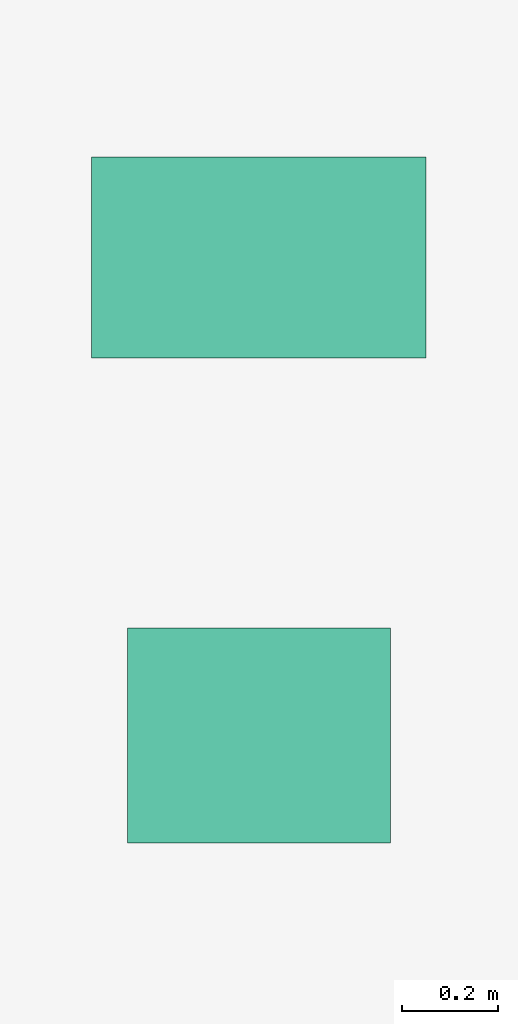
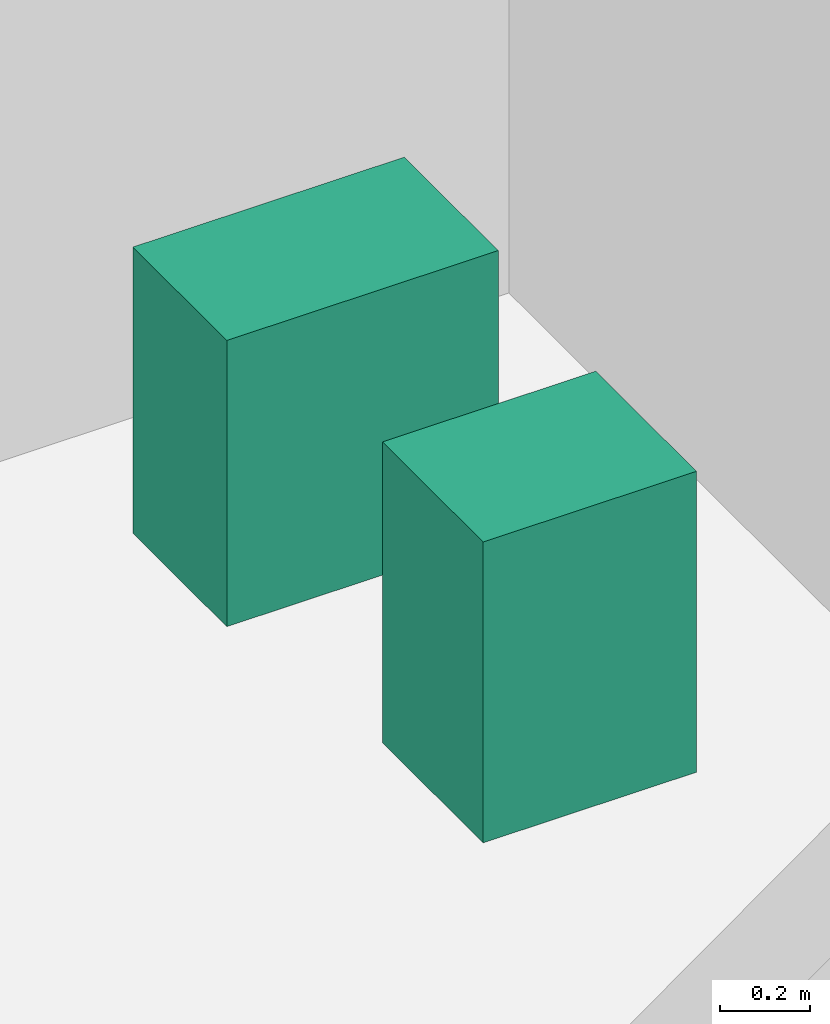
# One storey, part 31 of 31: 2 sanitary terminals.
"""IFC4 building model written with IfcOpenShell, lengths in metres."""

import ifcopenshell
import ifcopenshell.guid

model = None  # the IFC model being written
_history = None  # IfcOwnerHistory: only IFC2X3 demands one
_inside = {}  # id of a spatial element -> (the spatial element, [elements in it])
_under = {}  # id of a project, library or spatial element -> (it, [spatial elements below it])
_declared = {}  # id of a project -> (the project, [libraries it declares])
_typed = {}  # id of a type object -> (the type object, [elements of that type])
_made_of = {}  # id of a material, layer set ... -> (it, [elements and type objects made of it])


def new_model(schema):
    """Start an empty IFC model of exactly this schema.

    Asked for "IFC4X3", IfcOpenShell would pick the latest addendum, in which some entities
    have other attributes; the version numbers below select the first issue.
    IFC2X3 requires an IfcOwnerHistory on every rooted entity: one is made here for all.
    """
    global model, _history
    if schema == "IFC4X3":
        model = ifcopenshell.file(schema_version=(4, 3, 0, 0))
    else:
        model = ifcopenshell.file(schema=schema)
    _inside.clear()
    _under.clear()
    _declared.clear()
    _typed.clear()
    _made_of.clear()
    _history = None
    if model.schema == "IFC2X3":
        org = make("IfcOrganization", Name="unknown")
        user = make(
            "IfcPersonAndOrganization",
            ThePerson=make("IfcPerson", FamilyName="unknown"),
            TheOrganization=org,
        )
        app = make(
            "IfcApplication",
            ApplicationDeveloper=org,
            Version="unknown",
            ApplicationFullName="unknown",
            ApplicationIdentifier="unknown",
        )
        _history = make(
            "IfcOwnerHistory",
            OwningUser=user,
            OwningApplication=app,
            ChangeAction="ADDED",
            CreationDate=0,
        )
    return model


def make(cls, **values):
    """One entity of the class cls with the attributes given. An attribute that is None is left unset."""
    return model.create_entity(
        cls, **{name: value for name, value in values.items() if value is not None}
    )


def rooted(cls, **values):
    """An entity with a GlobalId (a new one), such as an element, a storey or a relation."""
    return make(cls, GlobalId=ifcopenshell.guid.new(), OwnerHistory=_history, **values)


def si_unit(unit_type, name, prefix=None):
    """IfcSIUnit, for example si_unit("LENGTHUNIT", "METRE", prefix="MILLI")."""
    return make("IfcSIUnit", UnitType=unit_type, Prefix=prefix, Name=name)


def assignment(units):
    """IfcUnitAssignment: the units of a project."""
    return None if units is None else make("IfcUnitAssignment", Units=units)


def point(xyz):
    """IfcCartesianPoint."""
    return None if xyz is None else make("IfcCartesianPoint", Coordinates=xyz)


def direction(xyz):
    """IfcDirection."""
    return None if xyz is None else make("IfcDirection", DirectionRatios=xyz)


def frame(location, z_axis=None, x_axis=None):
    """IfcAxis2Placement3D, a coordinate frame: its origin and axes. An axis left out is left unset."""
    return make(
        "IfcAxis2Placement3D",
        Location=point(location),
        Axis=direction(z_axis),
        RefDirection=direction(x_axis),
    )


def frame_2d(location, x_axis=None):
    """IfcAxis2Placement2D, a coordinate frame in the plane: its origin and x axis."""
    return make(
        "IfcAxis2Placement2D", Location=point(location), RefDirection=direction(x_axis)
    )


def origin():
    """The frame at (0, 0, 0) with its axes left unset."""
    return frame((0.0, 0.0, 0.0))


def origin_2d():
    """The frame at (0, 0) in the plane with its x axis left unset."""
    return frame_2d((0.0, 0.0))


def place(relative_to, where):
    """IfcLocalPlacement: puts the frame where relative to a parent placement (None: the world)."""
    return make(
        "IfcLocalPlacement", PlacementRelTo=relative_to, RelativePlacement=where
    )


def context(
    kind, dimensions, precision=None, world=None, true_north=None, identifier=None
):
    """IfcGeometricRepresentationContext, for example the 3D "Model" context."""
    return make(
        "IfcGeometricRepresentationContext",
        ContextIdentifier=identifier,
        ContextType=kind,
        CoordinateSpaceDimension=dimensions,
        Precision=precision,
        WorldCoordinateSystem=world,
        TrueNorth=true_north,
    )


def subcontext(parent, identifier, kind, view, scale=None):
    """IfcGeometricRepresentationSubContext, for example "Body" below "Model"."""
    return make(
        "IfcGeometricRepresentationSubContext",
        ContextIdentifier=identifier,
        ContextType=kind,
        ParentContext=parent,
        TargetScale=scale,
        TargetView=view,
    )


def project(units=None, contexts=None):
    """IfcProject with its units and contexts."""
    return rooted(
        "IfcProject",
        Name="project",
        RepresentationContexts=contexts,
        UnitsInContext=assignment(units),
    )


def spatial(cls, under=None, at=None, **own):
    """A site, building, storey or space (cls), placed at a placement, below another one or the project."""
    s = rooted(cls, ObjectPlacement=at, **own)
    if under is not None:
        _under.setdefault(under.id(), (under, []))[1].append(s)
    return s


def profile(cls, at=None, kind="AREA", **sizes):
    """A parametric profile (cls). Its sizes go by their IFC names, for example OverallWidth=200.0."""
    return make(cls, ProfileType=kind, Position=at, **sizes)


def rectangle(**sizes):
    """IfcRectangleProfileDef."""
    return profile("IfcRectangleProfileDef", **sizes)


def extrude(swept, where, along, depth):
    """IfcExtrudedAreaSolid: the profile swept, set in the frame where, extruded along a direction by depth."""
    return make(
        "IfcExtrudedAreaSolid",
        SweptArea=swept,
        Position=where,
        ExtrudedDirection=direction(along),
        Depth=depth,
    )


def shape(context_of_items, identifier, shape_type, items):
    """IfcShapeRepresentation: the items that make up one representation, for example the "Body"."""
    return make(
        "IfcShapeRepresentation",
        ContextOfItems=context_of_items,
        RepresentationIdentifier=identifier,
        RepresentationType=shape_type,
        Items=items,
    )


def source(mapping_origin, context_of_items, identifier, shape_type, items):
    """IfcRepresentationMap: a shape defined once, which mapped items show again and again."""
    return make(
        "IfcRepresentationMap",
        MappingOrigin=mapping_origin,
        MappedRepresentation=shape(context_of_items, identifier, shape_type, items),
    )


def transform(
    local_origin,
    x_axis=None,
    y_axis=None,
    z_axis=None,
    scale=None,
    scale2=None,
    scale3=None,
    uniform=True,
):
    """IfcCartesianTransformationOperator3D, or its non-uniform kind. x_axis, y_axis, z_axis: its Axis1, 2, 3."""
    if uniform:
        return make(
            "IfcCartesianTransformationOperator3D",
            Axis1=direction(x_axis),
            Axis2=direction(y_axis),
            LocalOrigin=point(local_origin),
            Scale=scale,
            Axis3=direction(z_axis),
        )
    return make(
        "IfcCartesianTransformationOperator3DnonUniform",
        Axis1=direction(x_axis),
        Axis2=direction(y_axis),
        LocalOrigin=point(local_origin),
        Scale=scale,
        Axis3=direction(z_axis),
        Scale2=scale2,
        Scale3=scale3,
    )


def mapped(mapping_source, mapping_target):
    """IfcMappedItem: shows the shape of a source again, moved by a transform."""
    return make(
        "IfcMappedItem", MappingSource=mapping_source, MappingTarget=mapping_target
    )


def material(Name=None, Category=None):
    """IfcMaterial."""
    return make("IfcMaterial", Name=Name, Category=Category)


def made_of(thing, what):
    """Note that an element or type object is made of a material, layer set ...; save() writes the relation."""
    if what is not None:
        _made_of.setdefault(what.id(), (what, []))[1].append(thing)
    return thing


def type_object(cls, material=None, **own):
    """A type object (cls), such as IfcWallType, which elements share."""
    return made_of(rooted(cls, **own), material)


def element(
    cls,
    number,
    at=None,
    inside=None,
    cuts=None,
    type_object=None,
    material=None,
    context=None,
    identifier="Body",
    shape_type=None,
    held_by="IfcProductDefinitionShape",
    body=None,
    shapes=None,
    **own,
):
    """One element of the class cls, such as IfcWall. Its Tag is "e" and its number.

    at: its placement. inside: the storey or other place that contains it. cuts: it is an
    opening in that element (IfcRelVoidsElement). A single representation is given by context,
    identifier, shape_type and body (its items); several are given by shapes. held_by: the class
    of the entity that holds the representations. save() writes the other relations.
    """
    e = rooted(cls, Tag="e%d" % number, ObjectPlacement=at, **own)
    if body is not None:
        shapes = [shape(context, identifier, shape_type, body)]
    if shapes is not None:
        e.Representation = make(held_by, Representations=shapes)
    if inside is not None:
        _inside.setdefault(inside.id(), (inside, []))[1].append(e)
    if cuts is not None:
        rooted(
            "IfcRelVoidsElement", RelatingBuildingElement=cuts, RelatedOpeningElement=e
        )
    if type_object is not None:
        _typed.setdefault(type_object.id(), (type_object, []))[1].append(e)
    return made_of(e, material)


def aggregate(whole, parts):
    """IfcRelAggregates: a whole, such as a stair, and the parts it consists of."""
    return rooted("IfcRelAggregates", RelatingObject=whole, RelatedObjects=parts)


def save(model, path):
    """Write the relations noted so far, then the file.

    IfcRelAggregates (storeys below a building ...), IfcRelContainedInSpatialStructure (elements
    in a storey), IfcRelDefinesByType, IfcRelAssociatesMaterial and IfcRelDeclares: one each for
    every whole, place, type object, material and project.
    """
    for whole, parts in _under.values():
        aggregate(whole, parts)
    for where, things in _inside.values():
        rooted(
            "IfcRelContainedInSpatialStructure",
            RelatedElements=things,
            RelatingStructure=where,
        )
    for kind, things in _typed.values():
        rooted("IfcRelDefinesByType", RelatedObjects=things, RelatingType=kind)
    for what, things in _made_of.values():
        rooted("IfcRelAssociatesMaterial", RelatedObjects=things, RelatingMaterial=what)
    for by, libraries in _declared.values():
        rooted("IfcRelDeclares", RelatingContext=by, RelatedDefinitions=libraries)
    model.write(path)


model = new_model("IFC4")

# Units and contexts
model_context = context("Model", 3, precision=1e-05, world=origin(), true_north=direction((0.0, 1.0)))
body_context = subcontext(model_context, "Body", "Model", "MODEL_VIEW")
ifc_project = project(units=[si_unit("LENGTHUNIT", "METRE"), si_unit("AREAUNIT", "SQUARE_METRE"), si_unit("VOLUMEUNIT", "CUBIC_METRE"), si_unit("PLANEANGLEUNIT", "RADIAN"), si_unit("MASSUNIT", "GRAM", prefix="KILO")], contexts=[model_context])

# Site, building, storey
site_placement = place(None, origin())
site = spatial("IfcSite", under=ifc_project, at=site_placement, CompositionType="ELEMENT")
building_placement = place(site_placement, origin())
building = spatial("IfcBuilding", under=site, at=building_placement, Name="Sumidabori Civic Tower", CompositionType="ELEMENT")
storey_placement = place(building_placement, frame((0.0, 0.0, 221.60009765625)))
storey = spatial("IfcBuildingStorey", under=building, at=storey_placement, Name="L57", CompositionType="ELEMENT", Elevation=221.60009765625)

# Sanitary terminals
ifc_material = material(Name="Vitreous Sanitary Porcelain")
sanitary_terminal_type_1 = type_object("IfcSanitaryTerminalType", Name="SN-WC-1", PredefinedType="TOILETPAN", material=ifc_material)
shared_shape_1 = source(origin(), body_context, "Body", "SweptSolid", [
    extrude(rectangle(XDim=0.699951171875, YDim=0.419921875, at=origin_2d()), origin(), (0.0, 0.0, 1.0), 0.780029296875),
])
sanitary_terminal_1_placement = place(storey_placement, frame((10.800048828125, 21.85009765625, 0.0), z_axis=(0.0, 0.0, 1.0), x_axis=(1.0, 0.0, 0.0)))
element("IfcSanitaryTerminal", 1, at=sanitary_terminal_1_placement, inside=storey, type_object=sanitary_terminal_type_1, Name="Accessible WC Pan L57", PredefinedType="TOILETPAN", context=body_context, shape_type="MappedRepresentation", body=[
    mapped(shared_shape_1, transform((0.0, 0.0, 0.0), x_axis=(1.0, 0.0, 0.0), y_axis=(0.0, 1.0, 0.0), z_axis=(0.0, 0.0, 1.0), scale=1.0)),
])
sanitary_terminal_type_2 = type_object("IfcSanitaryTerminalType", Name="SN-BAS-1", PredefinedType="WASHHANDBASIN", material=ifc_material)
shared_shape_2 = source(origin(), body_context, "Body", "SweptSolid", [
    extrude(rectangle(XDim=0.550048828125, YDim=0.449951171875, at=origin_2d()), origin(), (0.0, 0.0, 1.0), 0.820068359375),
])
sanitary_terminal_2_placement = place(storey_placement, frame((10.800048828125, 20.85009765625, 0.0), z_axis=(0.0, 0.0, 1.0), x_axis=(1.0, 0.0, 0.0)))
element("IfcSanitaryTerminal", 2, at=sanitary_terminal_2_placement, inside=storey, type_object=sanitary_terminal_type_2, Name="Accessible Basin L57", PredefinedType="WASHHANDBASIN", context=body_context, shape_type="MappedRepresentation", body=[
    mapped(shared_shape_2, transform((0.0, 0.0, 0.0), x_axis=(1.0, 0.0, 0.0), y_axis=(0.0, 1.0, 0.0), z_axis=(0.0, 0.0, 1.0), scale=1.0)),
])

save(model, "model.ifc")
